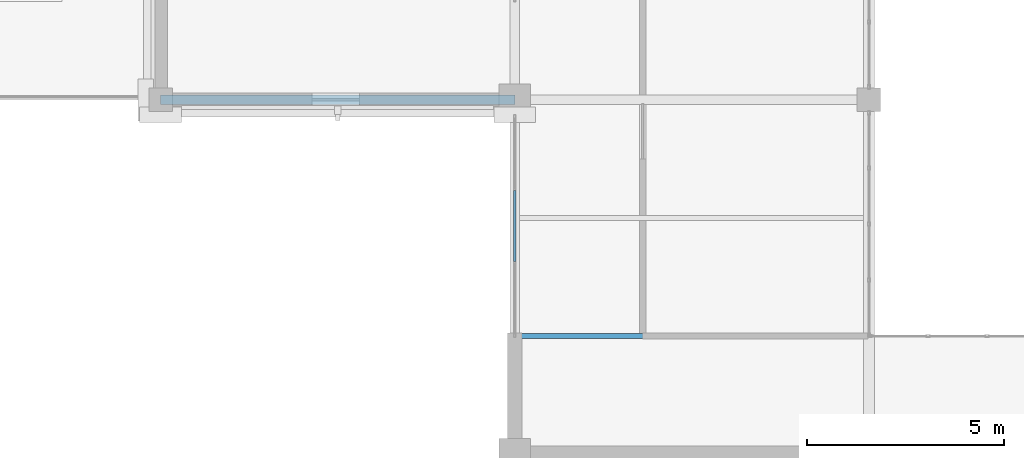
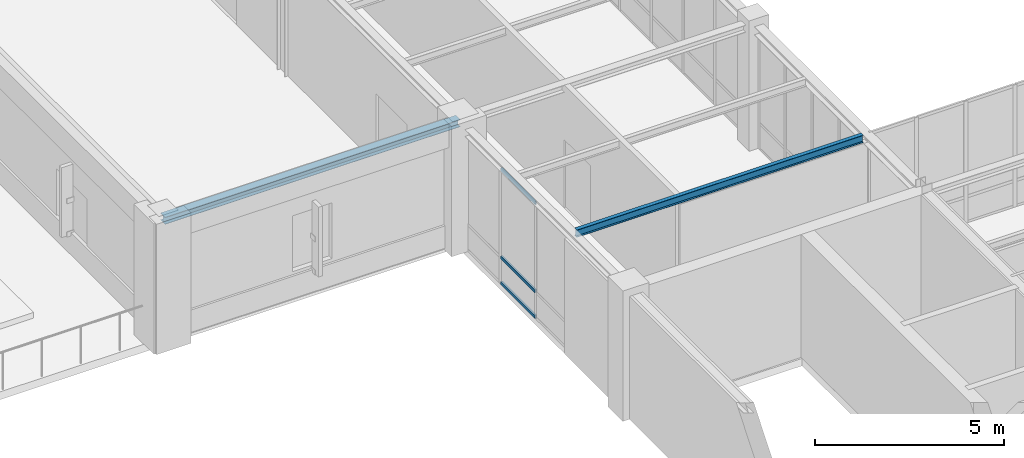
# One storey, part 15 of 97: 3 members, 2 beams, 1 element without a shape of its own.
"""IFC4 building model written with IfcOpenShell, lengths in metres."""

import ifcopenshell
import ifcopenshell.guid

model = None  # the IFC model being written
_history = None  # IfcOwnerHistory: only IFC2X3 demands one
_inside = {}  # id of a spatial element -> (the spatial element, [elements in it])
_under = {}  # id of a project, library or spatial element -> (it, [spatial elements below it])
_declared = {}  # id of a project -> (the project, [libraries it declares])
_typed = {}  # id of a type object -> (the type object, [elements of that type])
_made_of = {}  # id of a material, layer set ... -> (it, [elements and type objects made of it])


def new_model(schema):
    """Start an empty IFC model of exactly this schema.

    Asked for "IFC4X3", IfcOpenShell would pick the latest addendum, in which some entities
    have other attributes; the version numbers below select the first issue.
    IFC2X3 requires an IfcOwnerHistory on every rooted entity: one is made here for all.
    """
    global model, _history
    if schema == "IFC4X3":
        model = ifcopenshell.file(schema_version=(4, 3, 0, 0))
    else:
        model = ifcopenshell.file(schema=schema)
    _inside.clear()
    _under.clear()
    _declared.clear()
    _typed.clear()
    _made_of.clear()
    _history = None
    if model.schema == "IFC2X3":
        org = make("IfcOrganization", Name="unknown")
        user = make(
            "IfcPersonAndOrganization",
            ThePerson=make("IfcPerson", FamilyName="unknown"),
            TheOrganization=org,
        )
        app = make(
            "IfcApplication",
            ApplicationDeveloper=org,
            Version="unknown",
            ApplicationFullName="unknown",
            ApplicationIdentifier="unknown",
        )
        _history = make(
            "IfcOwnerHistory",
            OwningUser=user,
            OwningApplication=app,
            ChangeAction="ADDED",
            CreationDate=0,
        )
    return model


def make(cls, **values):
    """One entity of the class cls with the attributes given. An attribute that is None is left unset."""
    return model.create_entity(
        cls, **{name: value for name, value in values.items() if value is not None}
    )


def rooted(cls, **values):
    """An entity with a GlobalId (a new one), such as an element, a storey or a relation."""
    return make(cls, GlobalId=ifcopenshell.guid.new(), OwnerHistory=_history, **values)


def si_unit(unit_type, name, prefix=None):
    """IfcSIUnit, for example si_unit("LENGTHUNIT", "METRE", prefix="MILLI")."""
    return make("IfcSIUnit", UnitType=unit_type, Prefix=prefix, Name=name)


def assignment(units):
    """IfcUnitAssignment: the units of a project."""
    return None if units is None else make("IfcUnitAssignment", Units=units)


def point(xyz):
    """IfcCartesianPoint."""
    return None if xyz is None else make("IfcCartesianPoint", Coordinates=xyz)


def direction(xyz):
    """IfcDirection."""
    return None if xyz is None else make("IfcDirection", DirectionRatios=xyz)


def frame(location, z_axis=None, x_axis=None):
    """IfcAxis2Placement3D, a coordinate frame: its origin and axes. An axis left out is left unset."""
    return make(
        "IfcAxis2Placement3D",
        Location=point(location),
        Axis=direction(z_axis),
        RefDirection=direction(x_axis),
    )


def frame_2d(location, x_axis=None):
    """IfcAxis2Placement2D, a coordinate frame in the plane: its origin and x axis."""
    return make(
        "IfcAxis2Placement2D", Location=point(location), RefDirection=direction(x_axis)
    )


def origin():
    """The frame at (0, 0, 0) with its axes left unset."""
    return frame((0.0, 0.0, 0.0))


def origin_2d():
    """The frame at (0, 0) in the plane with its x axis left unset."""
    return frame_2d((0.0, 0.0))


def place(relative_to, where):
    """IfcLocalPlacement: puts the frame where relative to a parent placement (None: the world)."""
    return make(
        "IfcLocalPlacement", PlacementRelTo=relative_to, RelativePlacement=where
    )


def context(
    kind, dimensions, precision=None, world=None, true_north=None, identifier=None
):
    """IfcGeometricRepresentationContext, for example the 3D "Model" context."""
    return make(
        "IfcGeometricRepresentationContext",
        ContextIdentifier=identifier,
        ContextType=kind,
        CoordinateSpaceDimension=dimensions,
        Precision=precision,
        WorldCoordinateSystem=world,
        TrueNorth=true_north,
    )


def subcontext(parent, identifier, kind, view, scale=None):
    """IfcGeometricRepresentationSubContext, for example "Body" below "Model"."""
    return make(
        "IfcGeometricRepresentationSubContext",
        ContextIdentifier=identifier,
        ContextType=kind,
        ParentContext=parent,
        TargetScale=scale,
        TargetView=view,
    )


def project(units=None, contexts=None):
    """IfcProject with its units and contexts."""
    return rooted(
        "IfcProject",
        Name="project",
        RepresentationContexts=contexts,
        UnitsInContext=assignment(units),
    )


def spatial(cls, under=None, at=None, **own):
    """A site, building, storey or space (cls), placed at a placement, below another one or the project."""
    s = rooted(cls, ObjectPlacement=at, **own)
    if under is not None:
        _under.setdefault(under.id(), (under, []))[1].append(s)
    return s


def profile(cls, at=None, kind="AREA", **sizes):
    """A parametric profile (cls). Its sizes go by their IFC names, for example OverallWidth=200.0."""
    return make(cls, ProfileType=kind, Position=at, **sizes)


def hollow_rectangle(**sizes):
    """IfcRectangleHollowProfileDef."""
    return profile("IfcRectangleHollowProfileDef", **sizes)


def i_section(**sizes):
    """IfcIShapeProfileDef."""
    return profile("IfcIShapeProfileDef", **sizes)


def extrude(swept, where, along, depth):
    """IfcExtrudedAreaSolid: the profile swept, set in the frame where, extruded along a direction by depth."""
    return make(
        "IfcExtrudedAreaSolid",
        SweptArea=swept,
        Position=where,
        ExtrudedDirection=direction(along),
        Depth=depth,
    )


def shape(context_of_items, identifier, shape_type, items):
    """IfcShapeRepresentation: the items that make up one representation, for example the "Body"."""
    return make(
        "IfcShapeRepresentation",
        ContextOfItems=context_of_items,
        RepresentationIdentifier=identifier,
        RepresentationType=shape_type,
        Items=items,
    )


def material(Name=None, Category=None):
    """IfcMaterial."""
    return make("IfcMaterial", Name=Name, Category=Category)


def material_profile(
    of_material, cross_section, Name=None, Category=None, Priority=None
):
    """IfcMaterialProfile: a cross section and its material."""
    return make(
        "IfcMaterialProfile",
        Name=Name,
        Material=of_material,
        Profile=cross_section,
        Priority=Priority,
        Category=Category,
    )


def profile_set(profiles, Name=None, composite=None):
    """IfcMaterialProfileSet."""
    return make(
        "IfcMaterialProfileSet",
        Name=Name,
        MaterialProfiles=profiles,
        CompositeProfile=composite,
    )


def made_of(thing, what):
    """Note that an element or type object is made of a material, layer set ...; save() writes the relation."""
    if what is not None:
        _made_of.setdefault(what.id(), (what, []))[1].append(thing)
    return thing


def type_object(cls, material=None, **own):
    """A type object (cls), such as IfcWallType, which elements share."""
    return made_of(rooted(cls, **own), material)


def element(
    cls,
    number,
    at=None,
    inside=None,
    cuts=None,
    type_object=None,
    material=None,
    context=None,
    identifier="Body",
    shape_type=None,
    held_by="IfcProductDefinitionShape",
    body=None,
    shapes=None,
    **own,
):
    """One element of the class cls, such as IfcWall. Its Tag is "e" and its number.

    at: its placement. inside: the storey or other place that contains it. cuts: it is an
    opening in that element (IfcRelVoidsElement). A single representation is given by context,
    identifier, shape_type and body (its items); several are given by shapes. held_by: the class
    of the entity that holds the representations. save() writes the other relations.
    """
    e = rooted(cls, Tag="e%d" % number, ObjectPlacement=at, **own)
    if body is not None:
        shapes = [shape(context, identifier, shape_type, body)]
    if shapes is not None:
        e.Representation = make(held_by, Representations=shapes)
    if inside is not None:
        _inside.setdefault(inside.id(), (inside, []))[1].append(e)
    if cuts is not None:
        rooted(
            "IfcRelVoidsElement", RelatingBuildingElement=cuts, RelatedOpeningElement=e
        )
    if type_object is not None:
        _typed.setdefault(type_object.id(), (type_object, []))[1].append(e)
    return made_of(e, material)


def aggregate(whole, parts):
    """IfcRelAggregates: a whole, such as a stair, and the parts it consists of."""
    return rooted("IfcRelAggregates", RelatingObject=whole, RelatedObjects=parts)


def save(model, path):
    """Write the relations noted so far, then the file.

    IfcRelAggregates (storeys below a building ...), IfcRelContainedInSpatialStructure (elements
    in a storey), IfcRelDefinesByType, IfcRelAssociatesMaterial and IfcRelDeclares: one each for
    every whole, place, type object, material and project.
    """
    for whole, parts in _under.values():
        aggregate(whole, parts)
    for where, things in _inside.values():
        rooted(
            "IfcRelContainedInSpatialStructure",
            RelatedElements=things,
            RelatingStructure=where,
        )
    for kind, things in _typed.values():
        rooted("IfcRelDefinesByType", RelatedObjects=things, RelatingType=kind)
    for what, things in _made_of.values():
        rooted("IfcRelAssociatesMaterial", RelatedObjects=things, RelatingMaterial=what)
    for by, libraries in _declared.values():
        rooted("IfcRelDeclares", RelatingContext=by, RelatedDefinitions=libraries)
    model.write(path)


model = new_model("IFC4")

# Units and contexts
model_context = context("Model", 3, precision=1e-05, world=origin(), true_north=direction((0.0, 1.0)))
body_context = subcontext(model_context, "Body", "Model", "MODEL_VIEW")
ifc_project = project(units=[si_unit("LENGTHUNIT", "METRE"), si_unit("AREAUNIT", "SQUARE_METRE"), si_unit("VOLUMEUNIT", "CUBIC_METRE"), si_unit("PLANEANGLEUNIT", "RADIAN"), si_unit("MASSUNIT", "GRAM", prefix="KILO")], contexts=[model_context])

# Site, building, storey
site_placement = place(None, origin())
site = spatial("IfcSite", under=ifc_project, at=site_placement, CompositionType="ELEMENT")
building_placement = place(site_placement, origin())
building = spatial("IfcBuilding", under=site, at=building_placement, Name="Lykobir Media Centre", CompositionType="ELEMENT")
storey_placement = place(building_placement, frame((0.0, 0.0, 23.39990234375)))
storey = spatial("IfcBuildingStorey", under=building, at=storey_placement, Name="L05", CompositionType="ELEMENT", Elevation=23.39990234375)

# Curtain wall, members
ifc_material_1 = material(Name="Anodized Aluminium AW-6060", Category="aluminium")
curtain_wall_type = type_object("IfcCurtainWallType", Name="CW-COURT-B", PredefinedType="NOTDEFINED", material=ifc_material_1)
curtain_wall_placement = place(storey_placement, origin())
curtain_wall = element("IfcCurtainWall", 1, at=curtain_wall_placement, inside=storey, type_object=curtain_wall_type, Name="Curtain wall CW2-L05-0203", PredefinedType="NOTDEFINED")
ifc_material_profile_1 = material_profile(ifc_material_1, hollow_rectangle(XDim=0.054931640625, YDim=0.094970703125, WallThickness=0.0029296875, at=origin_2d()), Name="ALU TRANSOM 55x95")
ifc_profile_set_1 = profile_set([ifc_material_profile_1], Name="Anodized Aluminium AW-6060")
member_type = type_object("IfcMemberType", Name="CWT-095", PredefinedType="USERDEFINED", material=ifc_profile_set_1)
member_1_placement = place(storey_placement, frame((27.0, 22.892578125, 0.027587890625), z_axis=(0.0, 1.0, 0.0), x_axis=(-1.0, 0.0, 0.0)))
member_1 = element("IfcMember", 2, at=member_1_placement, type_object=member_type, Name="CW2-L05-0203 transom 2.1", ObjectType="TRANSOM", PredefinedType="USERDEFINED", context=body_context, shape_type="SweptSolid", body=[
    extrude(hollow_rectangle(XDim=0.054931640625, YDim=0.094970703125, WallThickness=0.0029296875, at=origin_2d()), origin(), (0.0, 0.0, 1.0), 1.809814453125),
])
member_2_placement = place(storey_placement, frame((27.0, 22.892578125, 0.85009765625), z_axis=(0.0, 1.0, 0.0), x_axis=(-1.0, 0.0, 0.0)))
member_2 = element("IfcMember", 3, at=member_2_placement, type_object=member_type, Name="CW2-L05-0203 transom 2.2", ObjectType="TRANSOM", PredefinedType="USERDEFINED", context=body_context, shape_type="SweptSolid", body=[
    extrude(hollow_rectangle(XDim=0.054931640625, YDim=0.094970703125, WallThickness=0.0029296875, at=origin_2d()), origin(), (0.0, 0.0, 1.0), 1.809814453125),
])
member_3_placement = place(storey_placement, frame((27.0, 22.892578125, 3.6875), z_axis=(0.0, 1.0, 0.0), x_axis=(-1.0, 0.0, 0.0)))
member_3 = element("IfcMember", 4, at=member_3_placement, type_object=member_type, Name="CW2-L05-0203 transom 2.3", ObjectType="TRANSOM", PredefinedType="USERDEFINED", context=body_context, shape_type="SweptSolid", body=[
    extrude(hollow_rectangle(XDim=0.054931640625, YDim=0.094970703125, WallThickness=0.0029296875, at=origin_2d()), origin(), (0.0, 0.0, 1.0), 1.809814453125),
])
aggregate(curtain_wall, [member_1, member_2, member_3])

# Beams
ifc_material_2 = material(Name="Steel S355", Category="steel")
ifc_material_profile_2 = material_profile(ifc_material_2, i_section(OverallWidth=0.1201171875, OverallDepth=0.239990234375, WebThickness=0.006103515625, FlangeThickness=0.009765625, at=origin_2d()), Name="IPE 240")
ifc_profile_set_2 = profile_set([ifc_material_profile_2], Name="Steel S355")
beam_type_1 = type_object("IfcBeamType", Name="JS-IPE240", PredefinedType="JOIST", material=ifc_profile_set_2)
beam_1_placement = place(storey_placement, frame((27.1201171875, 21.0, 3.840087890625), z_axis=(1.0, 0.0, 0.0), x_axis=(0.0, 1.0, 0.0)))
element("IfcBeam", 5, at=beam_1_placement, inside=storey, type_object=beam_type_1, Name="Beam BM-L05-0271-0210-0359-0210-2724", PredefinedType="JOIST", context=body_context, shape_type="SweptSolid", body=[
    extrude(i_section(OverallWidth=0.1201171875, OverallDepth=0.239990234375, WebThickness=0.006103515625, FlangeThickness=0.009765625, at=origin_2d()), origin(), (0.0, 0.0, 1.0), 8.739990234375),
])
ifc_material_profile_3 = material_profile(ifc_material_2, i_section(OverallWidth=0.239990234375, OverallDepth=0.22998046875, WebThickness=0.007568359375, FlangeThickness=0.011962890625, at=origin_2d()), Name="HEA 240")
ifc_profile_set_3 = profile_set([ifc_material_profile_3], Name="Steel S355")
beam_type_2 = type_object("IfcBeamType", Name="SP-HEA240", PredefinedType="SPANDREL", material=ifc_profile_set_3)
beam_2_placement = place(storey_placement, frame((18.0, 27.0, 3.84521484375), z_axis=(1.0, 0.0, 0.0), x_axis=(0.0, 1.0, 0.0)))
element("IfcBeam", 6, at=beam_2_placement, inside=storey, type_object=beam_type_2, Name="Beam BM-L05-0180-0270-0270-0270-2724", PredefinedType="SPANDREL", context=body_context, shape_type="SweptSolid", body=[
    extrude(i_section(OverallWidth=0.239990234375, OverallDepth=0.22998046875, WebThickness=0.007568359375, FlangeThickness=0.011962890625, at=origin_2d()), origin(), (0.0, 0.0, 1.0), 9.0),
])

save(model, "model.ifc")
